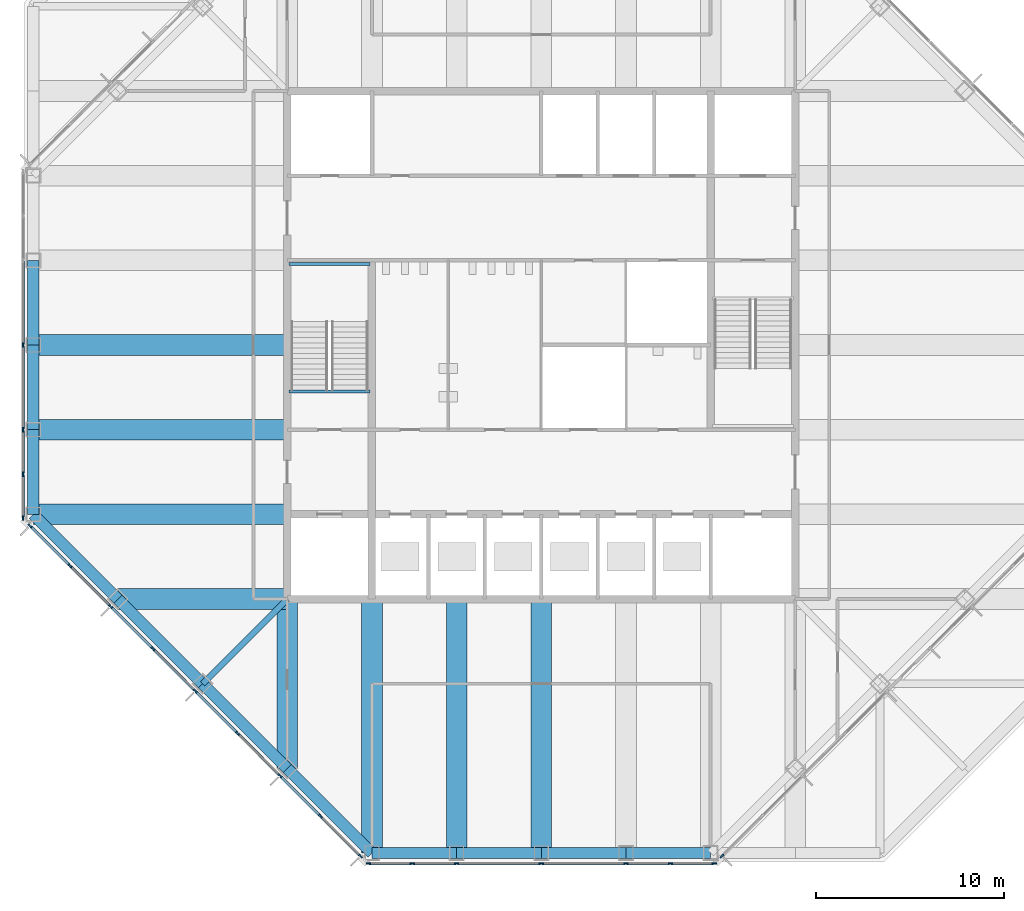
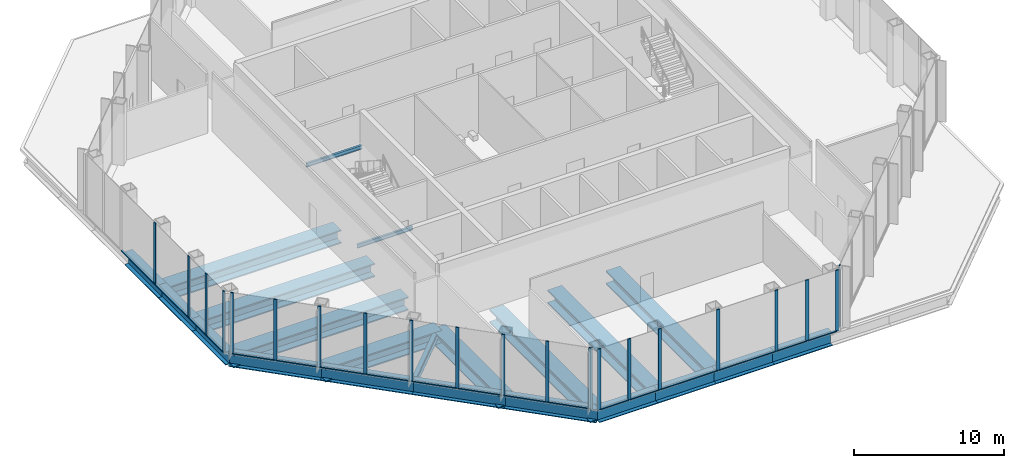
# One storey, part 2 of 12: 39 members, 22 beams, 4 elements without a shape of their own.
"""IFC4 building model written with IfcOpenShell, lengths in metres."""

from ifc_helpers import new_model, si_unit, direction, frame, origin, origin_2d, place, context, subcontext, project, spatial, rectangle, i_section, extrude, material, material_profile, profile_set, type_object, element, aggregate, save


model = new_model("IFC4")

# Units and contexts
model_context = context("Model", 3, precision=1e-05, world=origin(), true_north=direction((0.0, 1.0)))
body_context = subcontext(model_context, "Body", "Model", "MODEL_VIEW")
ifc_project = project(units=[si_unit("LENGTHUNIT", "METRE"), si_unit("AREAUNIT", "SQUARE_METRE"), si_unit("VOLUMEUNIT", "CUBIC_METRE"), si_unit("PLANEANGLEUNIT", "RADIAN"), si_unit("MASSUNIT", "GRAM", prefix="KILO")], contexts=[model_context])

# Site, building, storey
site_placement = place(None, origin())
site = spatial("IfcSite", under=ifc_project, at=site_placement, CompositionType="ELEMENT")
building_placement = place(site_placement, origin())
building = spatial("IfcBuilding", under=site, at=building_placement, Name="Corais Broadcast Tower", CompositionType="ELEMENT")
storey_placement = place(building_placement, frame((0.0, 0.0, 205.60009765625)))
storey = spatial("IfcBuildingStorey", under=building, at=storey_placement, Name="L47", CompositionType="ELEMENT", Elevation=205.60009765625)

# Beams
ifc_material_1 = material(Name="Steel ASTM A572 Grade 50", Category="steel")
ifc_material_profile_1 = material_profile(ifc_material_1, i_section(OverallWidth=0.323974609375, OverallDepth=0.611083984375, WebThickness=0.0126953125, FlangeThickness=0.01904296875, at=origin_2d()), Name="W610x155")
ifc_profile_set_1 = profile_set([ifc_material_profile_1], Name="Steel ASTM A572 Grade 50")
beam_type_1 = type_object("IfcBeamType", Name="Corner diagonal W610x155", PredefinedType="BEAM", material=ifc_profile_set_1)
beam_1_placement = place(storey_placement, frame((9.0, 9.0, -0.485595703125), z_axis=(0.707106781187, 0.707106781187, 0.0), x_axis=(-0.707106781187, 0.707106781187, 0.0)))
element("IfcBeam", 1, at=beam_1_placement, inside=storey, type_object=beam_type_1, Name="B6 C/5 to D/6", PredefinedType="BEAM", context=body_context, shape_type="SweptSolid", body=[
    extrude(i_section(OverallWidth=0.323974609375, OverallDepth=0.611083984375, WebThickness=0.0126953125, FlangeThickness=0.01904296875, at=origin_2d()), origin(), (0.0, 0.0, 1.0), 6.364013671875),
])
ifc_material_2 = material(Name="Steel ASTM A572 Grade 50", Category="steel")
ifc_material_profile_2 = material_profile(ifc_material_2, i_section(OverallWidth=0.1650390625, OverallDepth=0.31005859375, WebThickness=0.005859375, FlangeThickness=0.009765625, at=origin_2d()), Name="W310x38.7")
ifc_profile_set_2 = profile_set([ifc_material_profile_2], Name="Steel ASTM A572 Grade 50")
beam_type_2 = type_object("IfcBeamType", Name="Landing trimmer W310x38.7", PredefinedType="BEAM", material=ifc_profile_set_2)
for number, where, z_axis, x_axis, name in (
    (2, (13.60009765625, 24.52490234375, -0.35498046875), (1.0, 0.0, 0.0), (0.0, 1.0, 0.0), "LT1 stair A landing trimmer L47"),
    (3, (13.60009765625, 31.31005859375, 2.14501953125), (1.0, 0.0, 0.0), (0.0, 1.0, 0.0), "LT1 stair A half landing trimmer L47"),
):
    element("IfcBeam", number, at=place(storey_placement, frame(where, z_axis=z_axis, x_axis=x_axis)), inside=storey, type_object=beam_type_2, Name=name, PredefinedType="BEAM", context=body_context, shape_type="SweptSolid", body=[
        extrude(i_section(OverallWidth=0.1650390625, OverallDepth=0.31005859375, WebThickness=0.005859375, FlangeThickness=0.009765625, at=origin_2d()), origin(), (0.0, 0.0, 1.0), 4.2998046875),
    ])

# Curtain wall, members
ifc_material_3 = material(Name="Aluminium and glass", Category="aluminium")
curtain_wall_type = type_object("IfcCurtainWallType", Name="Sky lobby curtain wall CW4", PredefinedType="NOTDEFINED", material=ifc_material_3)
curtain_wall_1_placement = place(storey_placement, origin())
curtain_wall_1 = element("IfcCurtainWall", 4, at=curtain_wall_1_placement, inside=storey, type_object=curtain_wall_type, Name="CW4 curtain wall L47 1", PredefinedType="NOTDEFINED")
ifc_material_4 = material(Name="Aluminium 6063-T6", Category="aluminium")
ifc_material_profile_3 = material_profile(ifc_material_4, rectangle(XDim=0.080078125, YDim=0.25, at=origin_2d()), Name="Mullion CW4 80x250")
ifc_profile_set_3 = profile_set([ifc_material_profile_3], Name="Aluminium 6063-T6")
member_type_1 = type_object("IfcMemberType", Name="Mullion CW4 80x250", PredefinedType="MULLION", material=ifc_profile_set_3)
member_1_placement = place(storey_placement, frame((17.390380859375, -0.168212890625, 0.0), z_axis=(0.0, 0.0, 1.0), x_axis=(-0.707106781187, -0.707106781187, 0.0)))
member_1 = element("IfcMember", 5, at=member_1_placement, type_object=member_type_1, Name="CW4 mullion 1", PredefinedType="MULLION", context=body_context, shape_type="SweptSolid", body=[
    extrude(rectangle(XDim=0.080078125, YDim=0.25, at=origin_2d()), origin(), (0.0, 0.0, 1.0), 5.0),
])
member_2_placement = place(storey_placement, frame((15.264892578125, 1.957275390625, 0.0), z_axis=(0.0, 0.0, 1.0), x_axis=(-0.707106781187, -0.707106781187, 0.0)))
member_2 = element("IfcMember", 6, at=member_2_placement, type_object=member_type_1, Name="CW4 mullion 2", PredefinedType="MULLION", context=body_context, shape_type="SweptSolid", body=[
    extrude(rectangle(XDim=0.080078125, YDim=0.25, at=origin_2d()), origin(), (0.0, 0.0, 1.0), 5.0),
])
member_3_placement = place(storey_placement, frame((13.111083984375, 4.111083984375, 0.0), z_axis=(0.0, 0.0, 1.0), x_axis=(-0.707106781187, -0.707106781187, 0.0)))
member_3 = element("IfcMember", 7, at=member_3_placement, type_object=member_type_1, Name="CW4 mullion 3", PredefinedType="MULLION", context=body_context, shape_type="SweptSolid", body=[
    extrude(rectangle(XDim=0.080078125, YDim=0.25, at=origin_2d()), origin(), (0.0, 0.0, 1.0), 5.0),
])
member_4_placement = place(storey_placement, frame((10.861083984375, 6.361083984375, 0.0), z_axis=(0.0, 0.0, 1.0), x_axis=(-0.707106781187, -0.707106781187, 0.0)))
member_4 = element("IfcMember", 8, at=member_4_placement, type_object=member_type_1, Name="CW4 mullion 4", PredefinedType="MULLION", context=body_context, shape_type="SweptSolid", body=[
    extrude(rectangle(XDim=0.080078125, YDim=0.25, at=origin_2d()), origin(), (0.0, 0.0, 1.0), 5.0),
])
member_5_placement = place(storey_placement, frame((8.611083984375, 8.611083984375, 0.0), z_axis=(0.0, 0.0, 1.0), x_axis=(-0.707106781187, -0.707106781187, 0.0)))
member_5 = element("IfcMember", 9, at=member_5_placement, type_object=member_type_1, Name="CW4 mullion 5", PredefinedType="MULLION", context=body_context, shape_type="SweptSolid", body=[
    extrude(rectangle(XDim=0.080078125, YDim=0.25, at=origin_2d()), origin(), (0.0, 0.0, 1.0), 5.0),
])
member_6_placement = place(storey_placement, frame((6.361083984375, 10.861083984375, 0.0), z_axis=(0.0, 0.0, 1.0), x_axis=(-0.707106781187, -0.707106781187, 0.0)))
member_6 = element("IfcMember", 10, at=member_6_placement, type_object=member_type_1, Name="CW4 mullion 6", PredefinedType="MULLION", context=body_context, shape_type="SweptSolid", body=[
    extrude(rectangle(XDim=0.080078125, YDim=0.25, at=origin_2d()), origin(), (0.0, 0.0, 1.0), 5.0),
])
member_7_placement = place(storey_placement, frame((4.111083984375, 13.111083984375, 0.0), z_axis=(0.0, 0.0, 1.0), x_axis=(-0.707106781187, -0.707106781187, 0.0)))
member_7 = element("IfcMember", 11, at=member_7_placement, type_object=member_type_1, Name="CW4 mullion 7", PredefinedType="MULLION", context=body_context, shape_type="SweptSolid", body=[
    extrude(rectangle(XDim=0.080078125, YDim=0.25, at=origin_2d()), origin(), (0.0, 0.0, 1.0), 5.0),
])
member_8_placement = place(storey_placement, frame((1.957275390625, 15.264892578125, 0.0), z_axis=(0.0, 0.0, 1.0), x_axis=(-0.707106781187, -0.707106781187, 0.0)))
member_8 = element("IfcMember", 12, at=member_8_placement, type_object=member_type_1, Name="CW4 mullion 8", PredefinedType="MULLION", context=body_context, shape_type="SweptSolid", body=[
    extrude(rectangle(XDim=0.080078125, YDim=0.25, at=origin_2d()), origin(), (0.0, 0.0, 1.0), 5.0),
])
member_9_placement = place(storey_placement, frame((-0.168212890625, 17.390380859375, 0.0), z_axis=(0.0, 0.0, 1.0), x_axis=(-0.707106781187, -0.707106781187, 0.0)))
member_9 = element("IfcMember", 13, at=member_9_placement, type_object=member_type_1, Name="CW4 mullion 9", PredefinedType="MULLION", context=body_context, shape_type="SweptSolid", body=[
    extrude(rectangle(XDim=0.080078125, YDim=0.25, at=origin_2d()), origin(), (0.0, 0.0, 1.0), 5.0),
])

curtain_wall_2_placement = place(storey_placement, origin())
curtain_wall_2 = element("IfcCurtainWall", 14, at=curtain_wall_2_placement, inside=storey, type_object=curtain_wall_type, Name="CW4 curtain wall L47 2", PredefinedType="NOTDEFINED")
member_10_placement = place(storey_placement, frame((-0.550048828125, 17.812255859375, 0.0), z_axis=(0.0, 0.0, 1.0), x_axis=(-1.0, 0.0, 0.0)))
member_10 = element("IfcMember", 15, at=member_10_placement, type_object=member_type_1, Name="CW4 mullion 1", PredefinedType="MULLION", context=body_context, shape_type="SweptSolid", body=[
    extrude(rectangle(XDim=0.080078125, YDim=0.25, at=origin_2d()), origin(), (0.0, 0.0, 1.0), 5.0),
])
member_11_placement = place(storey_placement, frame((-0.550048828125, 20.135986328125, 0.0), z_axis=(0.0, 0.0, 1.0), x_axis=(-1.0, 0.0, 0.0)))
member_11 = element("IfcMember", 16, at=member_11_placement, type_object=member_type_1, Name="CW4 mullion 2", PredefinedType="MULLION", context=body_context, shape_type="SweptSolid", body=[
    extrude(rectangle(XDim=0.080078125, YDim=0.25, at=origin_2d()), origin(), (0.0, 0.0, 1.0), 5.0),
])
member_12_placement = place(storey_placement, frame((-0.550048828125, 22.5, 0.0), z_axis=(0.0, 0.0, 1.0), x_axis=(-1.0, 0.0, 0.0)))
member_12 = element("IfcMember", 17, at=member_12_placement, type_object=member_type_1, Name="CW4 mullion 3", PredefinedType="MULLION", context=body_context, shape_type="SweptSolid", body=[
    extrude(rectangle(XDim=0.080078125, YDim=0.25, at=origin_2d()), origin(), (0.0, 0.0, 1.0), 5.0),
])
member_13_placement = place(storey_placement, frame((-0.550048828125, 27.0, 0.0), z_axis=(0.0, 0.0, 1.0), x_axis=(-1.0, 0.0, 0.0)))
member_13 = element("IfcMember", 18, at=member_13_placement, type_object=member_type_1, Name="CW4 mullion 4", PredefinedType="MULLION", context=body_context, shape_type="SweptSolid", body=[
    extrude(rectangle(XDim=0.080078125, YDim=0.25, at=origin_2d()), origin(), (0.0, 0.0, 1.0), 5.0),
])

# Curtain wall, member
curtain_wall_3_placement = place(storey_placement, origin())
curtain_wall_3 = element("IfcCurtainWall", 19, at=curtain_wall_3_placement, inside=storey, type_object=curtain_wall_type, Name="CW4 curtain wall L47 7", PredefinedType="NOTDEFINED")
member_14_placement = place(storey_placement, frame((36.609619140625, -0.168212890625, 0.0), z_axis=(0.0, 0.0, 1.0), x_axis=(0.707106781187, -0.707106781187, 0.0)))
member_14 = element("IfcMember", 20, at=member_14_placement, type_object=member_type_1, Name="CW4 mullion 5", PredefinedType="MULLION", context=body_context, shape_type="SweptSolid", body=[
    extrude(rectangle(XDim=0.080078125, YDim=0.25, at=origin_2d()), origin(), (0.0, 0.0, 1.0), 5.0),
])
aggregate(curtain_wall_3, [member_14])

# Curtain wall, members
curtain_wall_4_placement = place(storey_placement, origin())
curtain_wall_4 = element("IfcCurtainWall", 21, at=curtain_wall_4_placement, inside=storey, type_object=curtain_wall_type, Name="CW4 curtain wall L47 8", PredefinedType="NOTDEFINED")
member_15_placement = place(storey_placement, frame((36.187744140625, -0.550048828125, 0.0), z_axis=(0.0, 0.0, 1.0), x_axis=(0.0, -1.0, 0.0)))
member_15 = element("IfcMember", 22, at=member_15_placement, type_object=member_type_1, Name="CW4 mullion 1", PredefinedType="MULLION", context=body_context, shape_type="SweptSolid", body=[
    extrude(rectangle(XDim=0.080078125, YDim=0.25, at=origin_2d()), origin(), (0.0, 0.0, 1.0), 5.0),
])
member_16_placement = place(storey_placement, frame((33.864013671875, -0.550048828125, 0.0), z_axis=(0.0, 0.0, 1.0), x_axis=(0.0, -1.0, 0.0)))
member_16 = element("IfcMember", 23, at=member_16_placement, type_object=member_type_1, Name="CW4 mullion 2", PredefinedType="MULLION", context=body_context, shape_type="SweptSolid", body=[
    extrude(rectangle(XDim=0.080078125, YDim=0.25, at=origin_2d()), origin(), (0.0, 0.0, 1.0), 5.0),
])
member_17_placement = place(storey_placement, frame((31.5, -0.550048828125, 0.0), z_axis=(0.0, 0.0, 1.0), x_axis=(0.0, -1.0, 0.0)))
member_17 = element("IfcMember", 24, at=member_17_placement, type_object=member_type_1, Name="CW4 mullion 3", PredefinedType="MULLION", context=body_context, shape_type="SweptSolid", body=[
    extrude(rectangle(XDim=0.080078125, YDim=0.25, at=origin_2d()), origin(), (0.0, 0.0, 1.0), 5.0),
])
member_18_placement = place(storey_placement, frame((27.0, -0.550048828125, 0.0), z_axis=(0.0, 0.0, 1.0), x_axis=(0.0, -1.0, 0.0)))
member_18 = element("IfcMember", 25, at=member_18_placement, type_object=member_type_1, Name="CW4 mullion 4", PredefinedType="MULLION", context=body_context, shape_type="SweptSolid", body=[
    extrude(rectangle(XDim=0.080078125, YDim=0.25, at=origin_2d()), origin(), (0.0, 0.0, 1.0), 5.0),
])
member_19_placement = place(storey_placement, frame((22.5, -0.550048828125, 0.0), z_axis=(0.0, 0.0, 1.0), x_axis=(0.0, -1.0, 0.0)))
member_19 = element("IfcMember", 26, at=member_19_placement, type_object=member_type_1, Name="CW4 mullion 5", PredefinedType="MULLION", context=body_context, shape_type="SweptSolid", body=[
    extrude(rectangle(XDim=0.080078125, YDim=0.25, at=origin_2d()), origin(), (0.0, 0.0, 1.0), 5.0),
])
member_20_placement = place(storey_placement, frame((20.135986328125, -0.550048828125, 0.0), z_axis=(0.0, 0.0, 1.0), x_axis=(0.0, -1.0, 0.0)))
member_20 = element("IfcMember", 27, at=member_20_placement, type_object=member_type_1, Name="CW4 mullion 6", PredefinedType="MULLION", context=body_context, shape_type="SweptSolid", body=[
    extrude(rectangle(XDim=0.080078125, YDim=0.25, at=origin_2d()), origin(), (0.0, 0.0, 1.0), 5.0),
])
member_21_placement = place(storey_placement, frame((17.812255859375, -0.550048828125, 0.0), z_axis=(0.0, 0.0, 1.0), x_axis=(0.0, -1.0, 0.0)))
member_21 = element("IfcMember", 28, at=member_21_placement, type_object=member_type_1, Name="CW4 mullion 7", PredefinedType="MULLION", context=body_context, shape_type="SweptSolid", body=[
    extrude(rectangle(XDim=0.080078125, YDim=0.25, at=origin_2d()), origin(), (0.0, 0.0, 1.0), 5.0),
])

# Beams
ifc_material_5 = material(Name="Steel ASTM A572 Grade 50", Category="steel")
ifc_material_profile_4 = material_profile(ifc_material_5, i_section(OverallWidth=1.10009765625, OverallDepth=1.10009765625, WebThickness=0.030029296875, FlangeThickness=0.10009765625, at=origin_2d()), Name="PG1100x1939")
ifc_profile_set_4 = profile_set([ifc_material_profile_4], Name="Steel ASTM A572 Grade 50")
beam_type_3 = type_object("IfcBeamType", Name="Transfer floor beam PG1100x1939", PredefinedType="BEAM", material=ifc_profile_set_4)
for number, where, z_axis, x_axis, name in (
    (29, (0.0, 18.0, -0.72998046875), (1.0, 0.0, 0.0), (0.0, 1.0, 0.0), "B19 E/3 to E/6"),
    (30, (0.0, 22.5, -0.72998046875), (1.0, 0.0, 0.0), (0.0, 1.0, 0.0), "B19 F/3 to F/6"),
    (31, (0.0, 27.0, -0.72998046875), (1.0, 0.0, 0.0), (0.0, 1.0, 0.0), "B19 G/3 to G/6"),
):
    element("IfcBeam", number, at=place(storey_placement, frame(where, z_axis=z_axis, x_axis=x_axis)), inside=storey, type_object=beam_type_3, Name=name, PredefinedType="BEAM", context=body_context, shape_type="SweptSolid", body=[
        extrude(i_section(OverallWidth=1.10009765625, OverallDepth=1.10009765625, WebThickness=0.030029296875, FlangeThickness=0.10009765625, at=origin_2d()), origin(), (0.0, 0.0, 1.0), 13.5),
    ])
beam_2_placement = place(storey_placement, frame((13.5, 4.5, -0.72998046875), z_axis=(0.0, 1.0, 0.0), x_axis=(-1.0, 0.0, 0.0)))
element("IfcBeam", 32, at=beam_2_placement, inside=storey, type_object=beam_type_3, Name="B19 B/6 to D/6", PredefinedType="BEAM", context=body_context, shape_type="SweptSolid", body=[
    extrude(i_section(OverallWidth=1.10009765625, OverallDepth=1.10009765625, WebThickness=0.030029296875, FlangeThickness=0.10009765625, at=origin_2d()), origin(), (0.0, 0.0, 1.0), 9.0),
])
for number, where, z_axis, x_axis, name in (
    (33, (18.0, 0.0, -0.72998046875), (0.0, 1.0, 0.0), (-1.0, 0.0, 0.0), "B19 A/7 to D/7"),
    (34, (22.5, 0.0, -0.72998046875), (0.0, 1.0, 0.0), (-1.0, 0.0, 0.0), "B19 A/8 to D/8"),
    (35, (27.0, 0.0, -0.72998046875), (0.0, 1.0, 0.0), (-1.0, 0.0, 0.0), "B19 A/9 to D/9"),
):
    element("IfcBeam", number, at=place(storey_placement, frame(where, z_axis=z_axis, x_axis=x_axis)), inside=storey, type_object=beam_type_3, Name=name, PredefinedType="BEAM", context=body_context, shape_type="SweptSolid", body=[
        extrude(i_section(OverallWidth=1.10009765625, OverallDepth=1.10009765625, WebThickness=0.030029296875, FlangeThickness=0.10009765625, at=origin_2d()), origin(), (0.0, 0.0, 1.0), 13.5),
    ])
beam_3_placement = place(storey_placement, frame((4.5, 13.5, -0.72998046875), z_axis=(1.0, 0.0, 0.0), x_axis=(0.0, 1.0, 0.0)))
element("IfcBeam", 36, at=beam_3_placement, inside=storey, type_object=beam_type_3, Name="B19 D/4 to D/6", PredefinedType="BEAM", context=body_context, shape_type="SweptSolid", body=[
    extrude(i_section(OverallWidth=1.10009765625, OverallDepth=1.10009765625, WebThickness=0.030029296875, FlangeThickness=0.10009765625, at=origin_2d()), origin(), (0.0, 0.0, 1.0), 9.0),
])
ifc_material_6 = material(Name="Steel ASTM A572 Grade 50", Category="steel")
ifc_material_profile_5 = material_profile(ifc_material_6, i_section(OverallWidth=0.60009765625, OverallDepth=1.10009765625, WebThickness=0.030029296875, FlangeThickness=0.06005859375, at=origin_2d()), Name="PG1100x796")
ifc_profile_set_5 = profile_set([ifc_material_profile_5], Name="Steel ASTM A572 Grade 50")
beam_type_4 = type_object("IfcBeamType", Name="Transfer spandrel PG1100x796", PredefinedType="BEAM", material=ifc_profile_set_5)
beam_4_placement = place(storey_placement, frame((0.0, 18.0, -0.72998046875), z_axis=(0.707106781187, -0.707106781187, 0.0), x_axis=(0.707106781187, 0.707106781187, 0.0)))
element("IfcBeam", 37, at=beam_4_placement, inside=storey, type_object=beam_type_4, Name="SB5 E/3 to D/4", PredefinedType="BEAM", context=body_context, shape_type="SweptSolid", body=[
    extrude(i_section(OverallWidth=0.60009765625, OverallDepth=1.10009765625, WebThickness=0.030029296875, FlangeThickness=0.06005859375, at=origin_2d()), origin(), (0.0, 0.0, 1.0), 6.364013671875),
])
for number, where, z_axis, x_axis, name in (
    (38, (0.0, 22.5, -0.72998046875), (0.0, -1.0, 0.0), (1.0, 0.0, 0.0), "SB5 F/3 to E/3"),
    (39, (0.0, 27.0, -0.72998046875), (0.0, -1.0, 0.0), (1.0, 0.0, 0.0), "SB5 G/3 to F/3"),
    (40, (0.0, 31.5, -0.72998046875), (0.0, -1.0, 0.0), (1.0, 0.0, 0.0), "SB5 H/3 to G/3"),
):
    element("IfcBeam", number, at=place(storey_placement, frame(where, z_axis=z_axis, x_axis=x_axis)), inside=storey, type_object=beam_type_4, Name=name, PredefinedType="BEAM", context=body_context, shape_type="SweptSolid", body=[
        extrude(i_section(OverallWidth=0.60009765625, OverallDepth=1.10009765625, WebThickness=0.030029296875, FlangeThickness=0.06005859375, at=origin_2d()), origin(), (0.0, 0.0, 1.0), 4.5),
    ])
beam_5_placement = place(storey_placement, frame((13.5, 4.5, -0.72998046875), z_axis=(0.707106781187, -0.707106781187, 0.0), x_axis=(0.707106781187, 0.707106781187, 0.0)))
element("IfcBeam", 41, at=beam_5_placement, inside=storey, type_object=beam_type_4, Name="SB5 B/6 to A/7", PredefinedType="BEAM", context=body_context, shape_type="SweptSolid", body=[
    extrude(i_section(OverallWidth=0.60009765625, OverallDepth=1.10009765625, WebThickness=0.030029296875, FlangeThickness=0.06005859375, at=origin_2d()), origin(), (0.0, 0.0, 1.0), 6.364013671875),
])
for number, where, z_axis, x_axis, name in (
    (42, (18.0, 0.0, -0.72998046875), (1.0, 0.0, 0.0), (0.0, 1.0, 0.0), "SB5 A/7 to A/8"),
    (43, (22.5, 0.0, -0.72998046875), (1.0, 0.0, 0.0), (0.0, 1.0, 0.0), "SB5 A/8 to A/9"),
    (44, (27.0, 0.0, -0.72998046875), (1.0, 0.0, 0.0), (0.0, 1.0, 0.0), "SB5 A/9 to A/10"),
    (45, (31.5, 0.0, -0.72998046875), (1.0, 0.0, 0.0), (0.0, 1.0, 0.0), "SB5 A/10 to A/11"),
):
    element("IfcBeam", number, at=place(storey_placement, frame(where, z_axis=z_axis, x_axis=x_axis)), inside=storey, type_object=beam_type_4, Name=name, PredefinedType="BEAM", context=body_context, shape_type="SweptSolid", body=[
        extrude(i_section(OverallWidth=0.60009765625, OverallDepth=1.10009765625, WebThickness=0.030029296875, FlangeThickness=0.06005859375, at=origin_2d()), origin(), (0.0, 0.0, 1.0), 4.5),
    ])
for number, where, z_axis, x_axis, name in (
    (46, (4.5, 13.5, -0.72998046875), (0.707106781187, -0.707106781187, 0.0), (0.707106781187, 0.707106781187, 0.0), "SB5 D/4 to C/5"),
    (47, (9.0, 9.0, -0.72998046875), (0.707106781187, -0.707106781187, 0.0), (0.707106781187, 0.707106781187, 0.0), "SB5 C/5 to B/6"),
):
    element("IfcBeam", number, at=place(storey_placement, frame(where, z_axis=z_axis, x_axis=x_axis)), inside=storey, type_object=beam_type_4, Name=name, PredefinedType="BEAM", context=body_context, shape_type="SweptSolid", body=[
        extrude(i_section(OverallWidth=0.60009765625, OverallDepth=1.10009765625, WebThickness=0.030029296875, FlangeThickness=0.06005859375, at=origin_2d()), origin(), (0.0, 0.0, 1.0), 6.364013671875),
    ])

# Member
ifc_material_7 = material(Name="Aluminium 6063-T6", Category="aluminium")
ifc_material_profile_6 = material_profile(ifc_material_7, rectangle(XDim=0.159912109375, YDim=0.080078125, at=origin_2d()), Name="Transom CW4 80x160")
ifc_profile_set_6 = profile_set([ifc_material_profile_6], Name="Aluminium 6063-T6")
member_type_2 = type_object("IfcMemberType", Name="Transom CW4 80x160", PredefinedType="USERDEFINED", material=ifc_profile_set_6)
member_22_placement = place(storey_placement, frame((17.362060546875, -0.139892578125, 0.039794921875), z_axis=(-0.707106781187, 0.707106781187, 0.0), x_axis=(-0.707106781187, -0.707106781187, 0.0)))
member_22 = element("IfcMember", 48, at=member_22_placement, type_object=member_type_2, Name="CW4 transom 1.1", ObjectType="TRANSOM", PredefinedType="USERDEFINED", context=body_context, shape_type="SweptSolid", body=[
    extrude(rectangle(XDim=0.159912109375, YDim=0.080078125, at=origin_2d()), origin(), (0.0, 0.0, 1.0), 2.92578125),
])

member_23_placement = place(storey_placement, frame((15.236572265625, 1.985595703125, 0.039794921875), z_axis=(-0.707106781187, 0.707106781187, 0.0), x_axis=(-0.707106781187, -0.707106781187, 0.0)))
member_23 = element("IfcMember", 49, at=member_23_placement, type_object=member_type_2, Name="CW4 transom 2.1", ObjectType="TRANSOM", PredefinedType="USERDEFINED", context=body_context, shape_type="SweptSolid", body=[
    extrude(rectangle(XDim=0.159912109375, YDim=0.080078125, at=origin_2d()), origin(), (0.0, 0.0, 1.0), 2.9658203125),
])

member_24_placement = place(storey_placement, frame((13.082763671875, 4.139404296875, 0.039794921875), z_axis=(-0.707106781187, 0.707106781187, 0.0), x_axis=(-0.707106781187, -0.707106781187, 0.0)))
member_24 = element("IfcMember", 50, at=member_24_placement, type_object=member_type_2, Name="CW4 transom 3.1", ObjectType="TRANSOM", PredefinedType="USERDEFINED", context=body_context, shape_type="SweptSolid", body=[
    extrude(rectangle(XDim=0.159912109375, YDim=0.080078125, at=origin_2d()), origin(), (0.0, 0.0, 1.0), 3.101806640625),
])

member_25_placement = place(storey_placement, frame((10.832763671875, 6.389404296875, 0.039794921875), z_axis=(-0.707106781187, 0.707106781187, 0.0), x_axis=(-0.707106781187, -0.707106781187, 0.0)))
member_25 = element("IfcMember", 51, at=member_25_placement, type_object=member_type_2, Name="CW4 transom 4.1", ObjectType="TRANSOM", PredefinedType="USERDEFINED", context=body_context, shape_type="SweptSolid", body=[
    extrude(rectangle(XDim=0.159912109375, YDim=0.080078125, at=origin_2d()), origin(), (0.0, 0.0, 1.0), 3.101806640625),
])

member_26_placement = place(storey_placement, frame((8.582763671875, 8.639404296875, 0.039794921875), z_axis=(-0.707106781187, 0.707106781187, 0.0), x_axis=(-0.707106781187, -0.707106781187, 0.0)))
member_26 = element("IfcMember", 52, at=member_26_placement, type_object=member_type_2, Name="CW4 transom 5.1", ObjectType="TRANSOM", PredefinedType="USERDEFINED", context=body_context, shape_type="SweptSolid", body=[
    extrude(rectangle(XDim=0.159912109375, YDim=0.080078125, at=origin_2d()), origin(), (0.0, 0.0, 1.0), 3.101806640625),
])

member_27_placement = place(storey_placement, frame((6.332763671875, 10.889404296875, 0.039794921875), z_axis=(-0.707106781187, 0.707106781187, 0.0), x_axis=(-0.707106781187, -0.707106781187, 0.0)))
member_27 = element("IfcMember", 53, at=member_27_placement, type_object=member_type_2, Name="CW4 transom 6.1", ObjectType="TRANSOM", PredefinedType="USERDEFINED", context=body_context, shape_type="SweptSolid", body=[
    extrude(rectangle(XDim=0.159912109375, YDim=0.080078125, at=origin_2d()), origin(), (0.0, 0.0, 1.0), 3.101806640625),
])

member_28_placement = place(storey_placement, frame((4.082763671875, 13.139404296875, 0.039794921875), z_axis=(-0.707106781187, 0.707106781187, 0.0), x_axis=(-0.707106781187, -0.707106781187, 0.0)))
member_28 = element("IfcMember", 54, at=member_28_placement, type_object=member_type_2, Name="CW4 transom 7.1", ObjectType="TRANSOM", PredefinedType="USERDEFINED", context=body_context, shape_type="SweptSolid", body=[
    extrude(rectangle(XDim=0.159912109375, YDim=0.080078125, at=origin_2d()), origin(), (0.0, 0.0, 1.0), 2.9658203125),
])

member_29_placement = place(storey_placement, frame((1.92919921875, 15.293212890625, 0.039794921875), z_axis=(-0.707148499631, 0.70706506028, 0.0), x_axis=(-0.70706506028, -0.707148499631, 0.0)))
member_29 = element("IfcMember", 55, at=member_29_placement, type_object=member_type_2, Name="CW4 transom 8.1", ObjectType="TRANSOM", PredefinedType="USERDEFINED", context=body_context, shape_type="SweptSolid", body=[
    extrude(rectangle(XDim=0.159912109375, YDim=0.080078125, at=origin_2d()), origin(), (0.0, 0.0, 1.0), 2.926025390625),
])

aggregate(curtain_wall_1, [member_1, member_2, member_3, member_4, member_5, member_6, member_7, member_8, member_9, member_22, member_23, member_24, member_25, member_26, member_27, member_28, member_29])

member_30_placement = place(storey_placement, frame((-0.550048828125, 17.852294921875, 0.039794921875), z_axis=(0.0, 1.0, 0.0), x_axis=(-1.0, 0.0, 0.0)))
member_30 = element("IfcMember", 56, at=member_30_placement, type_object=member_type_2, Name="CW4 transom 1.1", ObjectType="TRANSOM", PredefinedType="USERDEFINED", context=body_context, shape_type="SweptSolid", body=[
    extrude(rectangle(XDim=0.159912109375, YDim=0.080078125, at=origin_2d()), origin(), (0.0, 0.0, 1.0), 2.243896484375),
])

member_31_placement = place(storey_placement, frame((-0.550048828125, 20.176025390625, 0.039794921875), z_axis=(0.0, 1.0, 0.0), x_axis=(-1.0, 0.0, 0.0)))
member_31 = element("IfcMember", 57, at=member_31_placement, type_object=member_type_2, Name="CW4 transom 2.1", ObjectType="TRANSOM", PredefinedType="USERDEFINED", context=body_context, shape_type="SweptSolid", body=[
    extrude(rectangle(XDim=0.159912109375, YDim=0.080078125, at=origin_2d()), origin(), (0.0, 0.0, 1.0), 2.283935546875),
])

member_32_placement = place(storey_placement, frame((-0.550048828125, 22.5400390625, 0.039794921875), z_axis=(0.0, 1.0, 0.0), x_axis=(-1.0, 0.0, 0.0)))
member_32 = element("IfcMember", 58, at=member_32_placement, type_object=member_type_2, Name="CW4 transom 3.1", ObjectType="TRANSOM", PredefinedType="USERDEFINED", context=body_context, shape_type="SweptSolid", body=[
    extrude(rectangle(XDim=0.159912109375, YDim=0.080078125, at=origin_2d()), origin(), (0.0, 0.0, 1.0), 4.419921875),
])

member_33_placement = place(storey_placement, frame((-0.550048828125, 27.0400390625, 0.039794921875), z_axis=(0.0, 1.0, 0.0), x_axis=(-1.0, 0.0, 0.0)))
member_33 = element("IfcMember", 59, at=member_33_placement, type_object=member_type_2, Name="CW4 transom 4.1", ObjectType="TRANSOM", PredefinedType="USERDEFINED", context=body_context, shape_type="SweptSolid", body=[
    extrude(rectangle(XDim=0.159912109375, YDim=0.080078125, at=origin_2d()), origin(), (0.0, 0.0, 1.0), 4.419921875),
])

aggregate(curtain_wall_2, [member_10, member_11, member_12, member_13, member_30, member_31, member_32, member_33])

member_34_placement = place(storey_placement, frame((36.147705078125, -0.550048828125, 0.039794921875), z_axis=(-1.0, 0.0, 0.0), x_axis=(0.0, -1.0, 0.0)))
member_34 = element("IfcMember", 60, at=member_34_placement, type_object=member_type_2, Name="CW4 transom 1.1", ObjectType="TRANSOM", PredefinedType="USERDEFINED", context=body_context, shape_type="SweptSolid", body=[
    extrude(rectangle(XDim=0.159912109375, YDim=0.080078125, at=origin_2d()), origin(), (0.0, 0.0, 1.0), 2.243896484375),
])

member_35_placement = place(storey_placement, frame((33.823974609375, -0.550048828125, 0.039794921875), z_axis=(-1.0, 0.0, 0.0), x_axis=(0.0, -1.0, 0.0)))
member_35 = element("IfcMember", 61, at=member_35_placement, type_object=member_type_2, Name="CW4 transom 2.1", ObjectType="TRANSOM", PredefinedType="USERDEFINED", context=body_context, shape_type="SweptSolid", body=[
    extrude(rectangle(XDim=0.159912109375, YDim=0.080078125, at=origin_2d()), origin(), (0.0, 0.0, 1.0), 2.283935546875),
])

member_36_placement = place(storey_placement, frame((31.4599609375, -0.550048828125, 0.039794921875), z_axis=(-1.0, 0.0, 0.0), x_axis=(0.0, -1.0, 0.0)))
member_36 = element("IfcMember", 62, at=member_36_placement, type_object=member_type_2, Name="CW4 transom 3.1", ObjectType="TRANSOM", PredefinedType="USERDEFINED", context=body_context, shape_type="SweptSolid", body=[
    extrude(rectangle(XDim=0.159912109375, YDim=0.080078125, at=origin_2d()), origin(), (0.0, 0.0, 1.0), 4.419921875),
])

member_37_placement = place(storey_placement, frame((26.9599609375, -0.550048828125, 0.039794921875), z_axis=(-1.0, 0.0, 0.0), x_axis=(0.0, -1.0, 0.0)))
member_37 = element("IfcMember", 63, at=member_37_placement, type_object=member_type_2, Name="CW4 transom 4.1", ObjectType="TRANSOM", PredefinedType="USERDEFINED", context=body_context, shape_type="SweptSolid", body=[
    extrude(rectangle(XDim=0.159912109375, YDim=0.080078125, at=origin_2d()), origin(), (0.0, 0.0, 1.0), 4.419921875),
])

member_38_placement = place(storey_placement, frame((22.4599609375, -0.550048828125, 0.039794921875), z_axis=(-1.0, 0.0, 0.0), x_axis=(0.0, -1.0, 0.0)))
member_38 = element("IfcMember", 64, at=member_38_placement, type_object=member_type_2, Name="CW4 transom 5.1", ObjectType="TRANSOM", PredefinedType="USERDEFINED", context=body_context, shape_type="SweptSolid", body=[
    extrude(rectangle(XDim=0.159912109375, YDim=0.080078125, at=origin_2d()), origin(), (0.0, 0.0, 1.0), 2.283935546875),
])

member_39_placement = place(storey_placement, frame((20.09619140625, -0.550048828125, 0.039794921875), z_axis=(-1.0, 0.0, 0.0), x_axis=(0.0, -1.0, 0.0)))
member_39 = element("IfcMember", 65, at=member_39_placement, type_object=member_type_2, Name="CW4 transom 6.1", ObjectType="TRANSOM", PredefinedType="USERDEFINED", context=body_context, shape_type="SweptSolid", body=[
    extrude(rectangle(XDim=0.159912109375, YDim=0.080078125, at=origin_2d()), origin(), (0.0, 0.0, 1.0), 2.243896484375),
])

aggregate(curtain_wall_4, [member_15, member_16, member_17, member_18, member_19, member_20, member_21, member_34, member_35, member_36, member_37, member_38, member_39])

save(model, "model.ifc")
